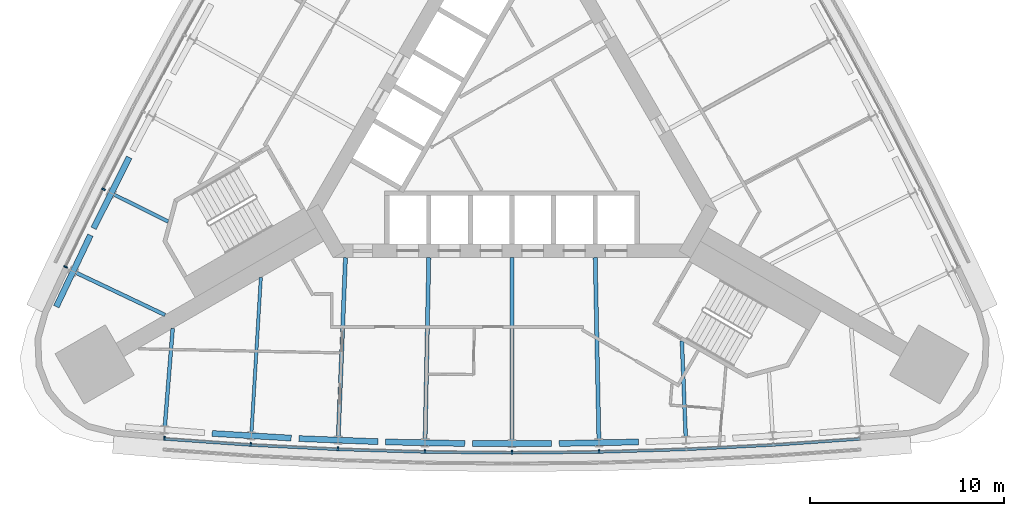
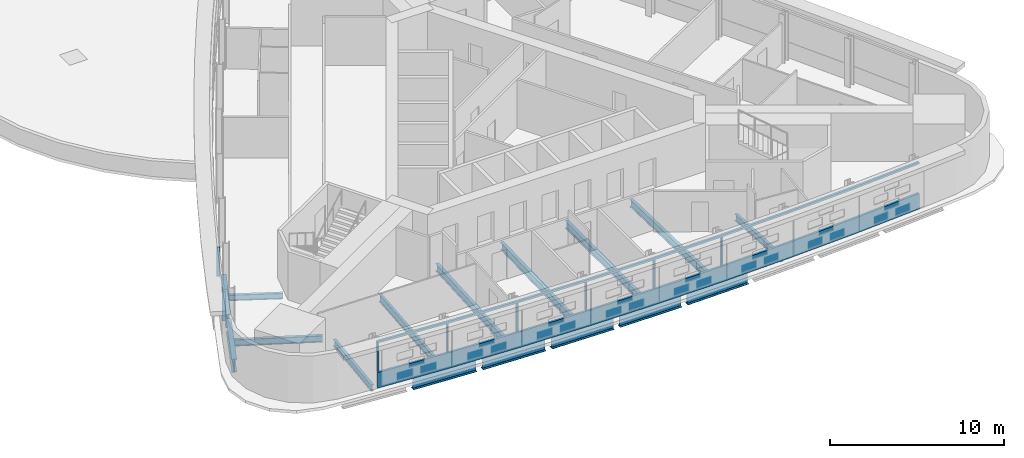
# One storey, part 2 of 12: 16 beams, 10 members, 2 elements without a shape of their own.
"""IFC4 building model written with IfcOpenShell, lengths in metres."""

from ifc_helpers import new_model, si_unit, direction, frame, origin, origin_2d, place, context, subcontext, project, spatial, polyline, rectangle, i_section, outline, extrude, material, material_profile, profile_set, type_object, element, aggregate, save


model = new_model("IFC4")

# Units and contexts
model_context = context("Model", 3, precision=1e-05, world=origin(), true_north=direction((0.0, 1.0)))
body_context = subcontext(model_context, "Body", "Model", "MODEL_VIEW")
ifc_project = project(units=[si_unit("LENGTHUNIT", "METRE"), si_unit("AREAUNIT", "SQUARE_METRE"), si_unit("VOLUMEUNIT", "CUBIC_METRE"), si_unit("PLANEANGLEUNIT", "RADIAN"), si_unit("MASSUNIT", "GRAM", prefix="KILO")], contexts=[model_context])

# Site, building, storey
site_placement = place(None, origin())
site = spatial("IfcSite", under=ifc_project, at=site_placement, CompositionType="ELEMENT")
building_placement = place(site_placement, origin())
building = spatial("IfcBuilding", under=site, at=building_placement, Name="Noor Cloister Tower", CompositionType="ELEMENT")
storey_placement = place(building_placement, frame((0.0, 0.0, 105.89990234375)))
storey = spatial("IfcBuildingStorey", under=building, at=storey_placement, Name="L27", CompositionType="ELEMENT", Elevation=105.89990234375)

# Curtain wall, member
ifc_material_1 = material(Name="Aluminium 6063-T6 anodised", Category="aluminium")
curtain_wall_type = type_object("IfcCurtainWallType", Name="Ribbon curtain wall, lower tower CW1", PredefinedType="NOTDEFINED", material=ifc_material_1)
curtain_wall_1_placement = place(storey_placement, origin())
curtain_wall_1 = element("IfcCurtainWall", 1, at=curtain_wall_1_placement, inside=storey, type_object=curtain_wall_type, Name="CW1 L27 S run 2", PredefinedType="NOTDEFINED")
ifc_material_2 = material(Name="Aluminium 6063-T6 anodised", Category="aluminium")
member_type_1 = type_object("IfcMemberType", Name="Head transom CW1 150", PredefinedType="USERDEFINED", material=ifc_material_2)
member_1_placement = place(storey_placement, frame((0.0, 0.0, 3.150146484375)))
member_1 = element("IfcMember", 2, at=member_1_placement, type_object=member_type_1, Name="CW1 head transom", ObjectType="TRANSOM", PredefinedType="USERDEFINED", context=body_context, shape_type="SweptSolid", body=[
    extrude(outline(polyline([(-17.980712890625, -16.35205078125), (-13.491943359375, -16.66796875), (-8.99755859375, -16.893798828125), (-4.499755859375, -17.029296875), (0.0, -17.074462890625), (4.499755859375, -17.029296875), (8.99755859375, -16.893798828125), (13.491943359375, -16.66796875), (17.980712890625, -16.35205078125), (17.970703125, -16.21240234375), (13.4833984375, -16.5283203125), (8.991943359375, -16.75390625), (4.496826171875, -16.889404296875), (0.0, -16.9345703125), (-4.496826171875, -16.889404296875), (-8.991943359375, -16.75390625), (-13.4833984375, -16.5283203125), (-17.970703125, -16.21240234375), (-17.980712890625, -16.35205078125)])), origin(), (0.0, 0.0, 1.0), 0.14990234375),
])

# Curtain wall, members
curtain_wall_2_placement = place(storey_placement, origin())
curtain_wall_2 = element("IfcCurtainWall", 3, at=curtain_wall_2_placement, inside=storey, type_object=curtain_wall_type, Name="CW1 L27 NW run 1", PredefinedType="NOTDEFINED")
ifc_material_3 = material(Name="Aluminium 6063-T6 anodised", Category="aluminium")
ifc_material_profile_1 = material_profile(ifc_material_3, rectangle(XDim=0.199951171875, YDim=0.080078125, at=origin_2d()), Name="200 x 80 mullion")
ifc_profile_set_1 = profile_set([ifc_material_profile_1], Name="Aluminium 6063-T6 anodised")
member_type_2 = type_object("IfcMemberType", Name="Mullion CW1 80 x 200", PredefinedType="MULLION", material=ifc_profile_set_1)
member_2_placement = place(storey_placement, frame((-21.09130859375, -3.39501953125, 1.10009765625), z_axis=(0.0, 0.0, 1.0), x_axis=(0.894554664218, -0.446958558176, 0.0)))
member_2 = element("IfcMember", 4, at=member_2_placement, type_object=member_type_2, Name="CW1 mullion 8", PredefinedType="MULLION", context=body_context, shape_type="SweptSolid", body=[
    extrude(rectangle(XDim=0.199951171875, YDim=0.080078125, at=origin_2d()), origin(), (0.0, 0.0, 1.0), 2.050048828125),
])
member_3_placement = place(storey_placement, frame((-23.044189453125, -7.403564453125, 1.10009765625), z_axis=(0.0, 0.0, 1.0), x_axis=(0.89899669454, -0.437955412348, 0.0)))
member_3 = element("IfcMember", 5, at=member_3_placement, type_object=member_type_2, Name="CW1 mullion 9", PredefinedType="MULLION", context=body_context, shape_type="SweptSolid", body=[
    extrude(rectangle(XDim=0.199951171875, YDim=0.080078125, at=origin_2d()), origin(), (0.0, 0.0, 1.0), 2.050048828125),
])
aggregate(curtain_wall_2, [member_2, member_3])

# Member
member_4_placement = place(storey_placement, frame((-17.933837890625, -16.255126953125, 1.10009765625), z_axis=(0.0, 0.0, 1.0), x_axis=(0.070217834452, 0.997531681565, 0.0)))
member_4 = element("IfcMember", 6, at=member_4_placement, type_object=member_type_2, Name="CW1 mullion 1", PredefinedType="MULLION", context=body_context, shape_type="SweptSolid", body=[
    extrude(rectangle(XDim=0.199951171875, YDim=0.080078125, at=origin_2d()), origin(), (0.0, 0.0, 1.0), 2.050048828125),
])

member_5_placement = place(storey_placement, frame((-13.48583984375, -16.568115234375, 1.10009765625), z_axis=(0.0, 0.0, 1.0), x_axis=(0.06019986629, 0.998186343374, 0.0)))
member_5 = element("IfcMember", 7, at=member_5_placement, type_object=member_type_2, Name="CW1 mullion 2", PredefinedType="MULLION", context=body_context, shape_type="SweptSolid", body=[
    extrude(rectangle(XDim=0.199951171875, YDim=0.080078125, at=origin_2d()), origin(), (0.0, 0.0, 1.0), 2.050048828125),
])

member_6_placement = place(storey_placement, frame((-8.99365234375, -16.7939453125, 1.10009765625), z_axis=(0.0, 0.0, 1.0), x_axis=(0.04014673795, 0.999193794733, 0.0)))
member_6 = element("IfcMember", 8, at=member_6_placement, type_object=member_type_2, Name="CW1 mullion 3", PredefinedType="MULLION", context=body_context, shape_type="SweptSolid", body=[
    extrude(rectangle(XDim=0.199951171875, YDim=0.080078125, at=origin_2d()), origin(), (0.0, 0.0, 1.0), 2.050048828125),
])

member_7_placement = place(storey_placement, frame((-4.497802734375, -16.929443359375, 1.10009765625), z_axis=(0.0, 0.0, 1.0), x_axis=(0.020077407288, 0.999798428543, 0.0)))
member_7 = element("IfcMember", 9, at=member_7_placement, type_object=member_type_2, Name="CW1 mullion 4", PredefinedType="MULLION", context=body_context, shape_type="SweptSolid", body=[
    extrude(rectangle(XDim=0.199951171875, YDim=0.080078125, at=origin_2d()), origin(), (0.0, 0.0, 1.0), 2.050048828125),
])

member_8_placement = place(storey_placement, frame((0.0, -16.974609375, 1.10009765625), z_axis=(0.0, 0.0, 1.0), x_axis=(0.0, 1.0, 0.0)))
member_8 = element("IfcMember", 10, at=member_8_placement, type_object=member_type_2, Name="CW1 mullion 5", PredefinedType="MULLION", context=body_context, shape_type="SweptSolid", body=[
    extrude(rectangle(XDim=0.199951171875, YDim=0.080078125, at=origin_2d()), origin(), (0.0, 0.0, 1.0), 2.050048828125),
])

member_9_placement = place(storey_placement, frame((4.497802734375, -16.929443359375, 1.10009765625), z_axis=(0.0, 0.0, 1.0), x_axis=(-0.020077407288, 0.999798428543, 0.0)))
member_9 = element("IfcMember", 11, at=member_9_placement, type_object=member_type_2, Name="CW1 mullion 6", PredefinedType="MULLION", context=body_context, shape_type="SweptSolid", body=[
    extrude(rectangle(XDim=0.199951171875, YDim=0.080078125, at=origin_2d()), origin(), (0.0, 0.0, 1.0), 2.050048828125),
])

# Beams
ifc_material_4 = material(Name="Steel ASTM A992 Gr 50", Category="steel")
ifc_material_profile_2 = material_profile(ifc_material_4, i_section(OverallWidth=0.177978515625, OverallDepth=0.406005859375, WebThickness=0.0078125, FlangeThickness=0.0126953125, FilletRadius=0.01025390625, at=origin_2d()), Name="W410x60")
ifc_profile_set_2 = profile_set([ifc_material_profile_2], Name="Steel ASTM A992 Gr 50")
beam_type_1 = type_object("IfcBeamType", Name="Radial beam W410x60", PredefinedType="BEAM", material=ifc_profile_set_2)
beam_1_placement = place(storey_placement, frame((-20.552490234375, -3.664306640625, -0.40283203125), z_axis=(0.894551810748, -0.44696426914, 0.0), x_axis=(0.44696426914, 0.894551810748, 0.0)))
element("IfcBeam", 12, at=beam_1_placement, inside=storey, type_object=beam_type_1, Name="Radial beam NW 08 L27", PredefinedType="BEAM", context=body_context, shape_type="SweptSolid", body=[
    extrude(i_section(OverallWidth=0.177978515625, OverallDepth=0.406005859375, WebThickness=0.0078125, FlangeThickness=0.0126953125, FilletRadius=0.01025390625, at=origin_2d()), origin(), (0.0, 0.0, 1.0), 3.133544921875),
])
ifc_material_5 = material(Name="Steel ASTM A992 Gr 50", Category="steel")
ifc_material_profile_3 = material_profile(ifc_material_5, i_section(OverallWidth=0.19091796875, OverallDepth=0.45703125, WebThickness=0.009033203125, FlangeThickness=0.014404296875, FilletRadius=0.01025390625, at=origin_2d()), Name="W460x74")
ifc_profile_set_3 = profile_set([ifc_material_profile_3], Name="Steel ASTM A992 Gr 50")
beam_type_2 = type_object("IfcBeamType", Name="Radial beam W460x74", PredefinedType="BEAM", material=ifc_profile_set_3)
beam_2_placement = place(storey_placement, frame((-22.51708984375, -7.697021484375, -0.428466796875), z_axis=(0.903348076648, -0.428908209779, 0.0), x_axis=(0.428908209779, 0.903348076648, 0.0)))
element("IfcBeam", 13, at=beam_2_placement, inside=storey, type_object=beam_type_2, Name="Radial beam NW 09 L27", PredefinedType="BEAM", context=body_context, shape_type="SweptSolid", body=[
    extrude(i_section(OverallWidth=0.19091796875, OverallDepth=0.45703125, WebThickness=0.009033203125, FlangeThickness=0.014404296875, FilletRadius=0.01025390625, at=origin_2d()), origin(), (0.0, 0.0, 1.0), 5.093994140625),
])
beam_3_placement = place(storey_placement, frame((-17.92431640625, -15.65185546875, -0.428466796875), z_axis=(0.080232883001, 0.996776145624, 0.0), x_axis=(-0.996776145624, 0.080232883001, 0.0)))
element("IfcBeam", 14, at=beam_3_placement, inside=storey, type_object=beam_type_2, Name="Radial beam S 01 L27", PredefinedType="BEAM", context=body_context, shape_type="SweptSolid", body=[
    extrude(i_section(OverallWidth=0.19091796875, OverallDepth=0.45703125, WebThickness=0.009033203125, FlangeThickness=0.014404296875, FilletRadius=0.01025390625, at=origin_2d()), origin(), (0.0, 0.0, 1.0), 5.09375),
])
beam_4_placement = place(storey_placement, frame((8.969482421875, -16.19189453125, -0.428466796875), z_axis=(-0.040170037749, 0.999192858295, 0.0), x_axis=(-0.999192858295, -0.040170037749, 0.0)))
element("IfcBeam", 15, at=beam_4_placement, inside=storey, type_object=beam_type_2, Name="Radial beam S 07 L27", PredefinedType="BEAM", context=body_context, shape_type="SweptSolid", body=[
    extrude(i_section(OverallWidth=0.19091796875, OverallDepth=0.45703125, WebThickness=0.009033203125, FlangeThickness=0.014404296875, FilletRadius=0.01025390625, at=origin_2d()), origin(), (0.0, 0.0, 1.0), 4.971435546875),
])
ifc_material_6 = material(Name="Steel ASTM A992 Gr 50", Category="steel")
ifc_material_profile_4 = material_profile(ifc_material_6, i_section(OverallWidth=0.166015625, OverallDepth=0.528076171875, WebThickness=0.009765625, FlangeThickness=0.013671875, FilletRadius=0.0126953125, at=origin_2d()), Name="W530x74")
ifc_profile_set_4 = profile_set([ifc_material_profile_4], Name="Steel ASTM A992 Gr 50")
beam_type_3 = type_object("IfcBeamType", Name="Radial beam W530x74", PredefinedType="BEAM", material=ifc_profile_set_4)
beam_5_placement = place(storey_placement, frame((-13.449462890625, -15.966796875, -0.4638671875), z_axis=(0.060202363996, 0.998186192736, 0.0), x_axis=(-0.998186192736, 0.060202363996, 0.0)))
element("IfcBeam", 16, at=beam_5_placement, inside=storey, type_object=beam_type_3, Name="Radial beam S 02 L27", PredefinedType="BEAM", context=body_context, shape_type="SweptSolid", body=[
    extrude(i_section(OverallWidth=0.166015625, OverallDepth=0.528076171875, WebThickness=0.009765625, FlangeThickness=0.013671875, FilletRadius=0.0126953125, at=origin_2d()), origin(), (0.0, 0.0, 1.0), 8.03369140625),
])
ifc_material_7 = material(Name="Steel ASTM A992 Gr 50", Category="steel")
ifc_material_profile_5 = material_profile(ifc_material_7, i_section(OverallWidth=0.208984375, OverallDepth=0.532958984375, WebThickness=0.01025390625, FlangeThickness=0.015625, FilletRadius=0.0126953125, at=origin_2d()), Name="W530x92")
ifc_profile_set_5 = profile_set([ifc_material_profile_5], Name="Steel ASTM A992 Gr 50")
beam_type_4 = type_object("IfcBeamType", Name="Radial beam W530x92", PredefinedType="BEAM", material=ifc_profile_set_5)
beam_6_placement = place(storey_placement, frame((-8.969482421875, -16.19189453125, -0.46630859375), z_axis=(0.040158386652, 0.99919332663, 0.0), x_axis=(-0.99919332663, 0.040158386652, 0.0)))
element("IfcBeam", 17, at=beam_6_placement, inside=storey, type_object=beam_type_4, Name="Radial beam S 03 L27", PredefinedType="BEAM", context=body_context, shape_type="SweptSolid", body=[
    extrude(i_section(OverallWidth=0.208984375, OverallDepth=0.532958984375, WebThickness=0.01025390625, FlangeThickness=0.015625, FilletRadius=0.0126953125, at=origin_2d()), origin(), (0.0, 0.0, 1.0), 9.271240234375),
])
beam_7_placement = place(storey_placement, frame((-4.485595703125, -16.326904296875, -0.46630859375), z_axis=(0.020075440055, 0.999798468046, 0.0), x_axis=(-0.999798468046, 0.020075440055, 0.0)))
element("IfcBeam", 18, at=beam_7_placement, inside=storey, type_object=beam_type_4, Name="Radial beam S 04 L27", PredefinedType="BEAM", context=body_context, shape_type="SweptSolid", body=[
    extrude(i_section(OverallWidth=0.208984375, OverallDepth=0.532958984375, WebThickness=0.01025390625, FlangeThickness=0.015625, FilletRadius=0.0126953125, at=origin_2d()), origin(), (0.0, 0.0, 1.0), 9.400634765625),
])
beam_8_placement = place(storey_placement, frame((0.0, -16.3720703125, -0.46630859375), z_axis=(0.0, 1.0, 0.0), x_axis=(-1.0, 0.0, 0.0)))
element("IfcBeam", 19, at=beam_8_placement, inside=storey, type_object=beam_type_4, Name="Radial beam S 05 L27", PredefinedType="BEAM", context=body_context, shape_type="SweptSolid", body=[
    extrude(i_section(OverallWidth=0.208984375, OverallDepth=0.532958984375, WebThickness=0.01025390625, FlangeThickness=0.015625, FilletRadius=0.0126953125, at=origin_2d()), origin(), (0.0, 0.0, 1.0), 9.44384765625),
])
beam_9_placement = place(storey_placement, frame((4.485595703125, -16.326904296875, -0.46630859375), z_axis=(-0.020075440055, 0.999798468046, 0.0), x_axis=(-0.999798468046, -0.020075440055, 0.0)))
element("IfcBeam", 20, at=beam_9_placement, inside=storey, type_object=beam_type_4, Name="Radial beam S 06 L27", PredefinedType="BEAM", context=body_context, shape_type="SweptSolid", body=[
    extrude(i_section(OverallWidth=0.208984375, OverallDepth=0.532958984375, WebThickness=0.01025390625, FlangeThickness=0.015625, FilletRadius=0.0126953125, at=origin_2d()), origin(), (0.0, 0.0, 1.0), 9.400634765625),
])

# Member
ifc_material_8 = material(Name="Aluminium 6063-T6 anodised", Category="aluminium")
member_type_3 = type_object("IfcMemberType", Name="Sill transom CW1 1100", PredefinedType="USERDEFINED", material=ifc_material_8)
member_10_placement = place(storey_placement, origin())
member_10 = element("IfcMember", 21, at=member_10_placement, type_object=member_type_3, Name="CW1 sill transom", ObjectType="TRANSOM", PredefinedType="USERDEFINED", context=body_context, shape_type="SweptSolid", body=[
    extrude(outline(polyline([(-17.980712890625, -16.35205078125), (-13.491943359375, -16.66796875), (-8.99755859375, -16.893798828125), (-4.499755859375, -17.029296875), (0.0, -17.074462890625), (4.499755859375, -17.029296875), (8.99755859375, -16.893798828125), (13.491943359375, -16.66796875), (17.980712890625, -16.35205078125), (17.970703125, -16.21240234375), (13.4833984375, -16.5283203125), (8.991943359375, -16.75390625), (4.496826171875, -16.889404296875), (0.0, -16.9345703125), (-4.496826171875, -16.889404296875), (-8.991943359375, -16.75390625), (-13.4833984375, -16.5283203125), (-17.970703125, -16.21240234375), (-17.980712890625, -16.35205078125)])), origin(), (0.0, 0.0, 1.0), 1.10009765625),
])

aggregate(curtain_wall_1, [member_4, member_5, member_6, member_7, member_8, member_9, member_10, member_1])

# Beams
ifc_material_9 = material(Name="Steel ASTM A992 Gr 50", Category="steel")
ifc_material_profile_6 = material_profile(ifc_material_9, i_section(OverallWidth=0.304931640625, OverallDepth=0.9189453125, WebThickness=0.017333984375, FlangeThickness=0.02783203125, FilletRadius=0.01904296875, at=origin_2d()), Name="W920x253")
ifc_profile_set_6 = profile_set([ifc_material_profile_6], Name="Steel ASTM A992 Gr 50")
beam_type_5 = type_object("IfcBeamType", Name="Transfer girder W920x253", PredefinedType="BEAM", material=ifc_profile_set_6)
for number, where, z_axis, x_axis, name in (
    (22, (-19.763916015625, -1.75048828125, -0.659423828125), (-0.448025614309, -0.894020720634, 0.0), (0.894020720634, -0.448025614309, 0.0), "Transfer girder NW 08 L27"),
    (23, (-21.763427734375, -5.761962890625, -0.659423828125), (-0.430341530423, -0.902666143817, 0.0), (0.902666143817, -0.430341530423, 0.0), "Transfer girder NW 09 L27"),
    (24, (-15.47900390625, -15.99951171875, -0.659423828125), (0.998254340614, -0.059061590265, 0.0), (0.059061590265, 0.998254340614, 0.0), "Transfer girder S 02 L27"),
    (25, (-11.00439453125, -16.264404296875, -0.659423828125), (0.999225288123, -0.039355095916, 0.0), (0.039355095916, 0.999225288123, 0.0), "Transfer girder S 03 L27"),
    (26, (-6.525634765625, -16.439453125, -0.659423828125), (0.999806971532, -0.019647383445, 0.0), (0.019647383445, 0.999806971532, 0.0), "Transfer girder S 04 L27"),
):
    element("IfcBeam", number, at=place(storey_placement, frame(where, z_axis=z_axis, x_axis=x_axis)), inside=storey, type_object=beam_type_5, Name=name, PredefinedType="BEAM", context=body_context, shape_type="SweptSolid", body=[
        extrude(i_section(OverallWidth=0.304931640625, OverallDepth=0.9189453125, WebThickness=0.017333984375, FlangeThickness=0.02783203125, FilletRadius=0.01904296875, at=origin_2d()), origin(), (0.0, 0.0, 1.0), 4.088134765625),
    ])
beam_10_placement = place(storey_placement, frame((-2.0439453125, -16.5244140625, -0.659423828125), z_axis=(1.0, 0.0, 0.0), x_axis=(0.0, 1.0, 0.0)))
element("IfcBeam", 27, at=beam_10_placement, inside=storey, type_object=beam_type_5, Name="Transfer girder S 05 L27", PredefinedType="BEAM", context=body_context, shape_type="SweptSolid", body=[
    extrude(i_section(OverallWidth=0.304931640625, OverallDepth=0.9189453125, WebThickness=0.017333984375, FlangeThickness=0.02783203125, FilletRadius=0.01904296875, at=origin_2d()), origin(), (0.0, 0.0, 1.0), 4.087890625),
])
beam_11_placement = place(storey_placement, frame((2.438232421875, -16.519775390625, -0.659423828125), z_axis=(0.999806971532, 0.019647383445, 0.0), x_axis=(-0.019647383445, 0.999806971532, 0.0)))
element("IfcBeam", 28, at=beam_11_placement, inside=storey, type_object=beam_type_5, Name="Transfer girder S 06 L27", PredefinedType="BEAM", context=body_context, shape_type="SweptSolid", body=[
    extrude(i_section(OverallWidth=0.304931640625, OverallDepth=0.9189453125, WebThickness=0.017333984375, FlangeThickness=0.02783203125, FilletRadius=0.01904296875, at=origin_2d()), origin(), (0.0, 0.0, 1.0), 4.088134765625),
])

save(model, "model.ifc")
